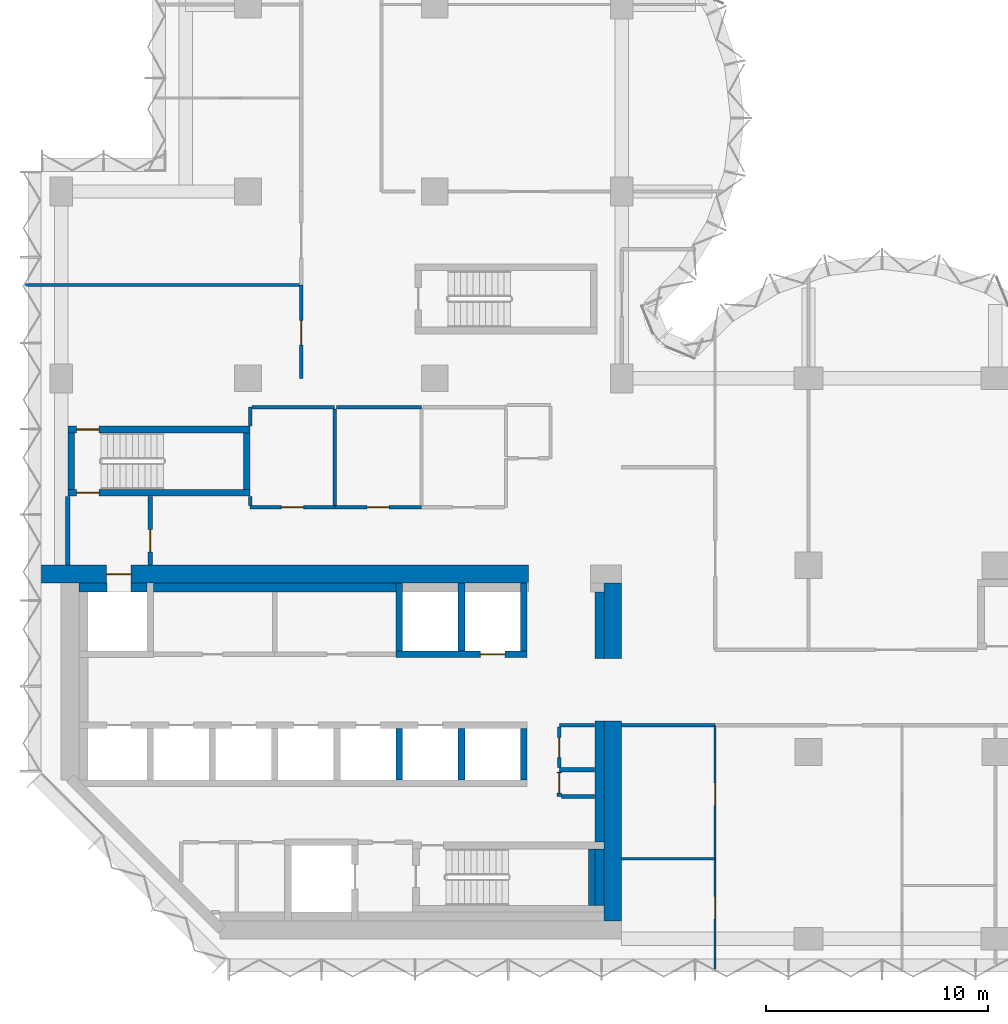
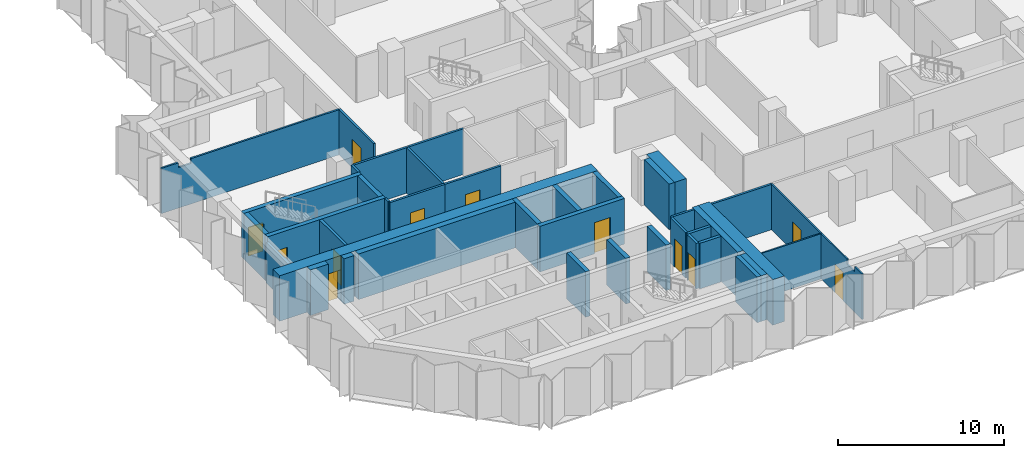
# One storey, part 6 of 11: 41 walls, 12 doors, 12 openings.
"""IFC4 building model written with IfcOpenShell, lengths in metres."""

from ifc_helpers import new_model, si_unit, direction, frame, frame_2d, origin, place, context, subcontext, project, spatial, polyline, rectangle, outline, extrude, material, layer, layer_set, type_object, element, fill, save


model = new_model("IFC4")

# Units and contexts
model_context = context("Model", 3, precision=1e-05, world=origin(), true_north=direction((0.0, 1.0)))
body_context = subcontext(model_context, "Body", "Model", "MODEL_VIEW")
ifc_project = project(units=[si_unit("LENGTHUNIT", "METRE"), si_unit("AREAUNIT", "SQUARE_METRE"), si_unit("VOLUMEUNIT", "CUBIC_METRE"), si_unit("PLANEANGLEUNIT", "RADIAN"), si_unit("MASSUNIT", "GRAM", prefix="KILO")], contexts=[model_context])

# Site, building, storey
site_placement = place(None, origin())
site = spatial("IfcSite", under=ifc_project, at=site_placement, CompositionType="ELEMENT")
building_placement = place(site_placement, origin())
building = spatial("IfcBuilding", under=site, at=building_placement, Name="Brevane Broadcast Tower", CompositionType="ELEMENT")
storey_placement = place(building_placement, frame((0.0, 0.0, 138.5)))
storey = spatial("IfcBuildingStorey", under=building, at=storey_placement, Name="L34", CompositionType="ELEMENT", Elevation=138.5)

# Walls
ifc_material_1 = material(Name="Concrete C32/40", Category="concrete")
ifc_layer_1 = layer(ifc_material_1, 0.39990234375)
ifc_layer_set_1 = layer_set([ifc_layer_1], Name="Core chase wall 400 mm")
wall_type_1 = type_object("IfcWallType", Name="Core chase wall 400 mm", PredefinedType="PARTITIONING", material=ifc_layer_set_1)
wall_1_placement = place(storey_placement, frame((24.199951171875, 12.60009765625, 0.0), z_axis=(0.0, 0.0, 1.0), x_axis=(0.0, 1.0, 0.0)))
element("IfcWall", 1, at=wall_1_placement, inside=storey, type_object=wall_type_1, Name="L34 chase wall LE2", PredefinedType="PARTITIONING", context=body_context, shape_type="SweptSolid", body=[
    extrude(rectangle(XDim=3.0, YDim=0.39990234375, at=frame_2d((1.5, 0.0))), origin(), (0.0, 0.0, 1.0), 3.35009765625),
])
wall_2_placement = place(storey_placement, frame((0.800048828125, 15.800048828125, 0.0), z_axis=(0.0, 0.0, 1.0), x_axis=(1.0, 0.0, 0.0)))
element("IfcWall", 2, at=wall_2_placement, inside=storey, type_object=wall_type_1, Name="L34 chase wall LN0", PredefinedType="PARTITIONING", context=body_context, shape_type="SweptSolid", body=[
    extrude(rectangle(XDim=1.25, YDim=0.39990234375, at=frame_2d((0.625, 0.0))), origin(), (0.0, 0.0, 1.0), 3.35009765625),
])
wall_3_placement = place(storey_placement, frame((3.14990234375, 15.800048828125, 0.0), z_axis=(0.0, 0.0, 1.0), x_axis=(1.0, 0.0, 0.0)))
element("IfcWall", 3, at=wall_3_placement, inside=storey, type_object=wall_type_1, Name="L34 chase wall LN1-1", PredefinedType="PARTITIONING", context=body_context, shape_type="SweptSolid", body=[
    extrude(rectangle(XDim=0.7001953125, YDim=0.39990234375, at=frame_2d((0.35009765625, 0.0))), origin(), (0.0, 0.0, 1.0), 3.35009765625),
])
wall_4_placement = place(storey_placement, frame((4.14990234375, 15.800048828125, 0.0), z_axis=(0.0, 0.0, 1.0), x_axis=(1.0, 0.0, 0.0)))
element("IfcWall", 4, at=wall_4_placement, inside=storey, type_object=wall_type_1, Name="L34 chase wall LN1-2-1", PredefinedType="PARTITIONING", context=body_context, shape_type="SweptSolid", body=[
    extrude(rectangle(XDim=10.900146484375, YDim=0.39990234375, at=frame_2d((5.4501953125, 0.0))), origin(), (0.0, 0.0, 1.0), 3.35009765625),
])
wall_5_placement = place(storey_placement, frame((24.199951171875, 1.5, 0.0), z_axis=(0.0, 0.0, 1.0), x_axis=(0.0, 1.0, 0.0)))
element("IfcWall", 5, at=wall_5_placement, inside=storey, type_object=wall_type_1, Name="L34 chase wall LE1-2-1", PredefinedType="PARTITIONING", context=body_context, shape_type="SweptSolid", body=[
    extrude(rectangle(XDim=2.550048828125, YDim=0.39990234375, at=frame_2d((1.27490234375, 0.0))), origin(), (0.0, 0.0, 1.0), 3.35009765625),
])
wall_6_placement = place(storey_placement, frame((24.199951171875, 4.35009765625, 0.0), z_axis=(0.0, 0.0, 1.0), x_axis=(0.0, 1.0, 0.0)))
element("IfcWall", 6, at=wall_6_placement, inside=storey, type_object=wall_type_1, Name="L34 chase wall LE1-2-2", PredefinedType="PARTITIONING", context=body_context, shape_type="SweptSolid", body=[
    extrude(rectangle(XDim=5.449951171875, YDim=0.39990234375, at=frame_2d((2.72509765625, 0.0))), origin(), (0.0, 0.0, 1.0), 3.35009765625),
])

# Wall, opening, door
ifc_material_2 = material(Name="Gypsum board on steel studs", Category="steel")
ifc_layer_2 = layer(ifc_material_2, 0.14990234375)
ifc_layer_set_2 = layer_set([ifc_layer_2], Name="Core fire partition 150 mm")
wall_type_2 = type_object("IfcWallType", Name="Core fire partition 150 mm", PredefinedType="PARTITIONING", material=ifc_layer_set_2)
wall_7_placement = place(storey_placement, frame((12.300048828125, 19.39990234375, 0.0), z_axis=(0.0, 0.0, 1.0), x_axis=(-1.0, 0.0, 0.0)))
wall_7 = element("IfcWall", 7, at=wall_7_placement, inside=storey, type_object=wall_type_2, Name="L34 partition wall P15", PredefinedType="PARTITIONING", context=body_context, shape_type="SweptSolid", body=[
    extrude(rectangle(XDim=3.800048828125, YDim=0.14990234375, at=frame_2d((1.89990234375, 0.0))), origin(), (0.0, 0.0, 1.0), 3.35009765625),
])
opening_1_placement = place(wall_7_placement, frame((1.39990234375, 0.0, 0.0)))
opening_1 = element("IfcOpeningElement", 8, at=opening_1_placement, cuts=wall_7, Name="Opening L34-K25", PredefinedType="OPENING", context=body_context, shape_type="SweptSolid", body=[
    extrude(rectangle(XDim=1.0, YDim=2.10009765625, at=frame_2d((0.5, 1.050048828125))), frame((0.0, 0.0849609375, 0.0), z_axis=(0.0, -1.0, 0.0), x_axis=(1.0, 0.0, 0.0)), (0.0, 0.0, 1.0), 0.169921875),
])
ifc_material_3 = material(Name="Steel", Category="steel")
door_type_1 = type_object("IfcDoorType", Name="Service room door 1000 x 2100", OperationType="SINGLE_SWING_LEFT", PredefinedType="DOOR", material=ifc_material_3)
door_1_placement = place(opening_1_placement, origin())
door_1 = element("IfcDoor", 9, at=door_1_placement, inside=storey, type_object=door_type_1, Name="Door L34-K25", OperationType="SINGLE_SWING_LEFT", OverallHeight=2.10009765625, OverallWidth=1.0, PredefinedType="DOOR", context=body_context, shape_type="SweptSolid", body=[
    extrude(rectangle(XDim=1.0, YDim=2.10009765625, at=frame_2d((0.5, 1.050048828125))), frame((0.0, 0.02490234375, 0.0), z_axis=(0.0, -1.0, 0.0), x_axis=(1.0, 0.0, 0.0)), (0.0, 0.0, 1.0), 0.050048828125),
])
fill(opening_1, door_1)

# Walls
wall_8_placement = place(storey_placement, frame((8.5, 19.47509765625, 0.0), z_axis=(0.0, 0.0, 1.0), x_axis=(0.0, 1.0, 0.0)))
element("IfcWall", 10, at=wall_8_placement, inside=storey, type_object=wall_type_2, Name="L34 partition wall P16", PredefinedType="PARTITIONING", context=body_context, shape_type="SweptSolid", body=[
    extrude(rectangle(XDim=0.412841796875, YDim=0.14990234375, at=frame_2d((0.20654296875, 0.0))), origin(), (0.0, 0.0, 1.0), 3.35009765625),
])
wall_9_placement = place(storey_placement, frame((8.5, 23.06201171875, 0.0), z_axis=(0.0, 0.0, 1.0), x_axis=(0.0, 1.0, 0.0)))
element("IfcWall", 11, at=wall_9_placement, inside=storey, type_object=wall_type_2, Name="L34 partition wall P17", PredefinedType="PARTITIONING", context=body_context, shape_type="SweptSolid", body=[
    extrude(rectangle(XDim=0.837890625, YDim=0.14990234375, at=frame_2d((0.4189453125, 0.0))), origin(), (0.0, 0.0, 1.0), 3.35009765625),
])
wall_10_placement = place(storey_placement, frame((8.574951171875, 23.89990234375, 0.0), z_axis=(0.0, 0.0, 1.0), x_axis=(1.0, 0.0, 0.0)))
element("IfcWall", 12, at=wall_10_placement, inside=storey, type_object=wall_type_2, Name="L34 partition wall P18", PredefinedType="PARTITIONING", context=body_context, shape_type="SweptSolid", body=[
    extrude(rectangle(XDim=3.72509765625, YDim=0.14990234375, at=frame_2d((1.862548828125, 0.0))), origin(), (0.0, 0.0, 1.0), 3.35009765625),
])

# Wall, opening, door
wall_11_placement = place(storey_placement, frame((16.199951171875, 19.39990234375, 0.0), z_axis=(0.0, 0.0, 1.0), x_axis=(-1.0, 0.0, 0.0)))
wall_11 = element("IfcWall", 13, at=wall_11_placement, inside=storey, type_object=wall_type_2, Name="L34 partition wall P19", PredefinedType="PARTITIONING", context=body_context, shape_type="SweptSolid", body=[
    extrude(rectangle(XDim=3.89990234375, YDim=0.14990234375, at=frame_2d((1.949951171875, 0.0))), origin(), (0.0, 0.0, 1.0), 3.35009765625),
])
opening_2_placement = place(wall_11_placement, frame((1.449951171875, 0.0, 0.0)))
opening_2 = element("IfcOpeningElement", 14, at=opening_2_placement, cuts=wall_11, Name="Opening L34-K26", PredefinedType="OPENING", context=body_context, shape_type="SweptSolid", body=[
    extrude(rectangle(XDim=1.0, YDim=2.10009765625, at=frame_2d((0.5, 1.050048828125))), frame((0.0, 0.0849609375, 0.0), z_axis=(0.0, -1.0, 0.0), x_axis=(1.0, 0.0, 0.0)), (0.0, 0.0, 1.0), 0.169921875),
])
door_2_placement = place(opening_2_placement, origin())
door_2 = element("IfcDoor", 15, at=door_2_placement, inside=storey, type_object=door_type_1, Name="Door L34-K26", OperationType="SINGLE_SWING_RIGHT", OverallHeight=2.10009765625, OverallWidth=1.0, PredefinedType="DOOR", context=body_context, shape_type="SweptSolid", body=[
    extrude(rectangle(XDim=1.0, YDim=2.10009765625, at=frame_2d((0.5, 1.050048828125))), frame((0.0, 0.02490234375, 0.0), z_axis=(0.0, -1.0, 0.0), x_axis=(1.0, 0.0, 0.0)), (0.0, 0.0, 1.0), 0.050048828125),
])
fill(opening_2, door_2)

# Walls
wall_12_placement = place(storey_placement, frame((12.300048828125, 23.824951171875, 0.0), z_axis=(0.0, 0.0, 1.0), x_axis=(0.0, -1.0, 0.0)))
element("IfcWall", 16, at=wall_12_placement, inside=storey, type_object=wall_type_2, Name="L34 partition wall P20", PredefinedType="PARTITIONING", context=body_context, shape_type="SweptSolid", body=[
    extrude(rectangle(XDim=4.349853515625, YDim=0.14990234375, at=frame_2d((2.1748046875, 0.0))), origin(), (0.0, 0.0, 1.0), 3.35009765625),
])
wall_13_placement = place(storey_placement, frame((12.375, 23.89990234375, 0.0), z_axis=(0.0, 0.0, 1.0), x_axis=(1.0, 0.0, 0.0)))
element("IfcWall", 17, at=wall_13_placement, inside=storey, type_object=wall_type_2, Name="L34 partition wall P21", PredefinedType="PARTITIONING", context=body_context, shape_type="SweptSolid", body=[
    extrude(rectangle(XDim=3.824951171875, YDim=0.14990234375, at=frame_2d((1.91259765625, 0.0))), origin(), (0.0, 0.0, 1.0), 3.35009765625),
])
wall_14_placement = place(storey_placement, frame((23.988037109375, 9.60009765625, 0.0), z_axis=(0.0, 0.0, 1.0), x_axis=(-1.0, 0.0, 0.0)))
element("IfcWall", 18, at=wall_14_placement, inside=storey, type_object=wall_type_2, Name="L34 partition wall P31", PredefinedType="PARTITIONING", context=body_context, shape_type="SweptSolid", body=[
    extrude(rectangle(XDim=1.588134765625, YDim=0.14990234375, at=frame_2d((0.7939453125, 0.0))), origin(), (0.0, 0.0, 1.0), 3.35009765625),
])

# Wall, opening, door
wall_15_placement = place(storey_placement, frame((22.39990234375, 9.52490234375, 0.0), z_axis=(0.0, 0.0, 1.0), x_axis=(0.0, -1.0, 0.0)))
wall_15 = element("IfcWall", 19, at=wall_15_placement, inside=storey, type_object=wall_type_2, Name="L34 partition wall P32", PredefinedType="PARTITIONING", context=body_context, shape_type="SweptSolid", body=[
    extrude(rectangle(XDim=1.824951171875, YDim=0.14990234375, at=frame_2d((0.91259765625, 0.0))), origin(), (0.0, 0.0, 1.0), 3.35009765625),
])
opening_3_placement = place(wall_15_placement, frame((0.47509765625, 0.0, 0.0)))
opening_3 = element("IfcOpeningElement", 20, at=opening_3_placement, cuts=wall_15, Name="Opening L34-K20", PredefinedType="OPENING", context=body_context, shape_type="SweptSolid", body=[
    extrude(rectangle(XDim=0.89990234375, YDim=2.10009765625, at=frame_2d((0.449951171875, 1.050048828125))), frame((0.0, 0.0849609375, 0.0), z_axis=(0.0, -1.0, 0.0), x_axis=(1.0, 0.0, 0.0)), (0.0, 0.0, 1.0), 0.169921875),
])
door_type_2 = type_object("IfcDoorType", Name="Service room door 900 x 2100", OperationType="SINGLE_SWING_LEFT", PredefinedType="DOOR", material=ifc_material_3)
door_3_placement = place(opening_3_placement, origin())
door_3 = element("IfcDoor", 21, at=door_3_placement, inside=storey, type_object=door_type_2, Name="Door L34-K20", OperationType="SINGLE_SWING_RIGHT", OverallHeight=2.10009765625, OverallWidth=0.89990234375, PredefinedType="DOOR", context=body_context, shape_type="SweptSolid", body=[
    extrude(rectangle(XDim=0.89990234375, YDim=2.10009765625, at=frame_2d((0.449951171875, 1.050048828125))), frame((0.0, 0.02490234375, 0.0), z_axis=(0.0, -1.0, 0.0), x_axis=(1.0, 0.0, 0.0)), (0.0, 0.0, 1.0), 0.050048828125),
])
fill(opening_3, door_3)

# Wall
ifc_layer_3 = layer(ifc_material_2, 0.199951171875)
ifc_layer_set_3 = layer_set([ifc_layer_3], Name="Core fire partition 200 mm")
wall_type_3 = type_object("IfcWallType", Name="Core fire partition 200 mm", PredefinedType="PARTITIONING", material=ifc_layer_set_3)
wall_16_placement = place(storey_placement, frame((0.300048828125, 16.81201171875, 0.0), z_axis=(0.0, 0.0, 1.0), x_axis=(0.0, 1.0, 0.0)))
element("IfcWall", 22, at=wall_16_placement, inside=storey, type_object=wall_type_3, Name="L34 partition wall P01", PredefinedType="PARTITIONING", context=body_context, shape_type="SweptSolid", body=[
    extrude(rectangle(XDim=3.075927734375, YDim=0.199951171875, at=frame_2d((1.5380859375, 0.0))), origin(), (0.0, 0.0, 1.0), 2.97998046875),
])

# Wall, opening, door
wall_17_placement = place(storey_placement, frame((4.0, 19.887939453125, 0.0), z_axis=(0.0, 0.0, 1.0), x_axis=(0.0, -1.0, 0.0)))
wall_17 = element("IfcWall", 23, at=wall_17_placement, inside=storey, type_object=wall_type_3, Name="L34 partition wall P02", PredefinedType="PARTITIONING", context=body_context, shape_type="SweptSolid", body=[
    extrude(rectangle(XDim=3.075927734375, YDim=0.199951171875, at=frame_2d((1.5380859375, 0.0))), origin(), (0.0, 0.0, 1.0), 3.35009765625),
])
opening_4_placement = place(wall_17_placement, frame((1.488037109375, 0.0, 0.0)))
opening_4 = element("IfcOpeningElement", 24, at=opening_4_placement, cuts=wall_17, Name="Opening L34-K23", PredefinedType="OPENING", context=body_context, shape_type="SweptSolid", body=[
    extrude(rectangle(XDim=1.0, YDim=2.10009765625, at=frame_2d((0.5, 1.050048828125))), frame((0.0, 0.10986328125, 0.0), z_axis=(0.0, -1.0, 0.0), x_axis=(1.0, 0.0, 0.0)), (0.0, 0.0, 1.0), 0.219970703125),
])
door_type_3 = type_object("IfcDoorType", Name="Stair door 1000 x 2100", OperationType="SINGLE_SWING_LEFT", PredefinedType="DOOR", material=ifc_material_3)
door_4_placement = place(opening_4_placement, origin())
door_4 = element("IfcDoor", 25, at=door_4_placement, inside=storey, type_object=door_type_3, Name="Door L34-K23", OperationType="SINGLE_SWING_LEFT", OverallHeight=2.10009765625, OverallWidth=1.0, PredefinedType="DOOR", context=body_context, shape_type="SweptSolid", body=[
    extrude(rectangle(XDim=1.0, YDim=2.10009765625, at=frame_2d((0.5, 1.050048828125))), frame((0.0, 0.02490234375, 0.0), z_axis=(0.0, -1.0, 0.0), x_axis=(1.0, 0.0, 0.0)), (0.0, 0.0, 1.0), 0.050048828125),
])
fill(opening_4, door_4)

# Wall
wall_18_placement = place(storey_placement, frame((23.988037109375, 7.60009765625, 0.0), z_axis=(0.0, 0.0, 1.0), x_axis=(-1.0, 0.0, 0.0)))
element("IfcWall", 26, at=wall_18_placement, inside=storey, type_object=wall_type_3, Name="L34 partition wall P07", PredefinedType="PARTITIONING", context=body_context, shape_type="SweptSolid", body=[
    extrude(rectangle(XDim=1.588134765625, YDim=0.199951171875, at=frame_2d((0.7939453125, 0.0))), origin(), (0.0, 0.0, 1.0), 3.35009765625),
])

# Wall, opening, door
wall_19_placement = place(storey_placement, frame((22.39990234375, 7.5, 0.0), z_axis=(0.0, 0.0, 1.0), x_axis=(0.0, -1.0, 0.0)))
wall_19 = element("IfcWall", 27, at=wall_19_placement, inside=storey, type_object=wall_type_3, Name="L34 partition wall P08", PredefinedType="PARTITIONING", context=body_context, shape_type="SweptSolid", body=[
    extrude(rectangle(XDim=1.10009765625, YDim=0.199951171875, at=frame_2d((0.550048828125, 0.0))), origin(), (0.0, 0.0, 1.0), 3.35009765625),
])
opening_5_placement = place(wall_19_placement, frame((0.050048828125, 0.0, 0.0)))
opening_5 = element("IfcOpeningElement", 28, at=opening_5_placement, cuts=wall_19, Name="Opening L34-K19", PredefinedType="OPENING", context=body_context, shape_type="SweptSolid", body=[
    extrude(rectangle(XDim=0.89990234375, YDim=2.10009765625, at=frame_2d((0.449951171875, 1.050048828125))), frame((0.0, 0.10986328125, 0.0), z_axis=(0.0, -1.0, 0.0), x_axis=(1.0, 0.0, 0.0)), (0.0, 0.0, 1.0), 0.219970703125),
])
door_5_placement = place(opening_5_placement, origin())
door_5 = element("IfcDoor", 29, at=door_5_placement, inside=storey, type_object=door_type_2, Name="Door L34-K19", OperationType="SINGLE_SWING_LEFT", OverallHeight=2.10009765625, OverallWidth=0.89990234375, PredefinedType="DOOR", context=body_context, shape_type="SweptSolid", body=[
    extrude(rectangle(XDim=0.89990234375, YDim=2.10009765625, at=frame_2d((0.449951171875, 1.050048828125))), frame((0.0, 0.02490234375, 0.0), z_axis=(0.0, -1.0, 0.0), x_axis=(1.0, 0.0, 0.0)), (0.0, 0.0, 1.0), 0.050048828125),
])
fill(opening_5, door_5)

# Walls
wall_20_placement = place(storey_placement, frame((22.5, 6.39990234375, 0.0), z_axis=(0.0, 0.0, 1.0), x_axis=(1.0, 0.0, 0.0)))
element("IfcWall", 30, at=wall_20_placement, inside=storey, type_object=wall_type_3, Name="L34 partition wall P09", PredefinedType="PARTITIONING", context=body_context, shape_type="SweptSolid", body=[
    extrude(rectangle(XDim=1.488037109375, YDim=0.199951171875, at=frame_2d((0.744140625, 0.0))), origin(), (0.0, 0.0, 1.0), 3.35009765625),
])
ifc_material_4 = material(Name="Concrete C60/75", Category="concrete")
ifc_layer_4 = layer(ifc_material_4, 0.300048828125)
ifc_layer_set_4 = layer_set([ifc_layer_4], Name="Core wall 300 mm C60/75")
wall_type_4 = type_object("IfcWallType", Name="Core wall 300 mm C60/75", PredefinedType="SHEAR", material=ifc_layer_set_4)
for number, where, z_axis, x_axis, name in (
    (31, (15.199951171875, 7.14990234375, 0.0), (0.0, 0.0, 1.0), (0.0, 1.0, 0.0), "L34 shaft wall SH-S-P152"),
    (32, (18.0, 7.14990234375, 0.0), (0.0, 0.0, 1.0), (0.0, 1.0, 0.0), "L34 shaft wall SH-S-P180"),
    (33, (20.800048828125, 7.14990234375, 0.0), (0.0, 0.0, 1.0), (0.0, 1.0, 0.0), "L34 shaft wall SH-S-P208"),
):
    element("IfcWall", number, at=place(storey_placement, frame(where, z_axis=z_axis, x_axis=x_axis)), inside=storey, type_object=wall_type_4, Name=name, PredefinedType="SHEAR", context=body_context, shape_type="SweptSolid", body=[
        extrude(rectangle(XDim=2.300048828125, YDim=0.300048828125, at=frame_2d((1.14990234375, 0.0))), origin(), (0.0, 0.0, 1.0), 3.35009765625),
    ])

# Wall, opening, door
wall_21_placement = place(storey_placement, frame((15.050048828125, 12.800048828125, 0.0), z_axis=(0.0, 0.0, 1.0), x_axis=(1.0, 0.0, 0.0)))
wall_21 = element("IfcWall", 34, at=wall_21_placement, inside=storey, type_object=wall_type_4, Name="L34 shaft wall SH-N152-front", PredefinedType="SHEAR", context=body_context, shape_type="SweptSolid", body=[
    extrude(rectangle(XDim=5.89990234375, YDim=0.300048828125, at=frame_2d((2.949951171875, 0.0))), origin(), (0.0, 0.0, 1.0), 3.35009765625),
])
opening_6_placement = place(wall_21_placement, frame((3.800048828125, 0.0, 0.0)))
opening_6 = element("IfcOpeningElement", 35, at=opening_6_placement, cuts=wall_21, Name="Opening LD", PredefinedType="OPENING", context=body_context, shape_type="SweptSolid", body=[
    extrude(rectangle(XDim=1.10009765625, YDim=2.300048828125, at=frame_2d((0.550048828125, 1.14990234375))), frame((0.0, 0.159912109375, 0.0), z_axis=(0.0, -1.0, 0.0), x_axis=(1.0, 0.0, 0.0)), (0.0, 0.0, 1.0), 0.320068359375),
])
ifc_material_5 = material(Name="Stainless steel", Category="steel")
door_type_4 = type_object("IfcDoorType", Name="Lift landing door", OperationType="SLIDING_TO_LEFT", PredefinedType="DOOR", material=ifc_material_5)
door_6_placement = place(opening_6_placement, origin())
door_6 = element("IfcDoor", 36, at=door_6_placement, inside=storey, type_object=door_type_4, Name="Landing door SL1 L34", OperationType="SLIDING_TO_LEFT", OverallHeight=2.300048828125, OverallWidth=1.10009765625, PredefinedType="DOOR", context=body_context, shape_type="SweptSolid", body=[
    extrude(rectangle(XDim=1.10009765625, YDim=2.300048828125, at=frame_2d((0.550048828125, 1.14990234375))), frame((0.0, 0.02490234375, 0.0), z_axis=(0.0, -1.0, 0.0), x_axis=(1.0, 0.0, 0.0)), (0.0, 0.0, 1.0), 0.050048828125),
])
fill(opening_6, door_6)

# Walls
for number, where, z_axis, x_axis, name in (
    (37, (15.199951171875, 12.949951171875, 0.0), (0.0, 0.0, 1.0), (0.0, 1.0, 0.0), "L34 shaft wall SH-N-P152"),
    (38, (18.0, 12.949951171875, 0.0), (0.0, 0.0, 1.0), (0.0, 1.0, 0.0), "L34 shaft wall SH-N-P180"),
    (39, (20.800048828125, 12.949951171875, 0.0), (0.0, 0.0, 1.0), (0.0, 1.0, 0.0), "L34 shaft wall SH-N-P208"),
):
    element("IfcWall", number, at=place(storey_placement, frame(where, z_axis=z_axis, x_axis=x_axis)), inside=storey, type_object=wall_type_4, Name=name, PredefinedType="SHEAR", context=body_context, shape_type="SweptSolid", body=[
        extrude(rectangle(XDim=3.050048828125, YDim=0.300048828125, at=frame_2d((1.52490234375, 0.0))), origin(), (0.0, 0.0, 1.0), 3.35009765625),
    ])

# Wall, opening, door
wall_22_placement = place(storey_placement, frame((8.5, 20.050048828125, 0.0), z_axis=(0.0, 0.0, 1.0), x_axis=(-1.0, 0.0, 0.0)))
wall_22 = element("IfcWall", 40, at=wall_22_placement, inside=storey, type_object=wall_type_4, Name="L34 stair wall ST-1-S", PredefinedType="SHEAR", context=body_context, shape_type="SweptSolid", body=[
    extrude(rectangle(XDim=8.199951171875, YDim=0.300048828125, at=frame_2d((4.10009765625, 0.0))), origin(), (0.0, 0.0, 1.0), 3.35009765625),
])
opening_7_placement = place(wall_22_placement, frame((6.800048828125, 0.0, 0.0)))
opening_7 = element("IfcOpeningElement", 41, at=opening_7_placement, cuts=wall_22, Name="Opening L34-K10", PredefinedType="OPENING", context=body_context, shape_type="SweptSolid", body=[
    extrude(rectangle(XDim=1.0, YDim=2.10009765625, at=frame_2d((0.5, 1.050048828125))), frame((0.0, 0.159912109375, 0.0), z_axis=(0.0, -1.0, 0.0), x_axis=(1.0, 0.0, 0.0)), (0.0, 0.0, 1.0), 0.320068359375),
])
door_7_placement = place(opening_7_placement, origin())
door_7 = element("IfcDoor", 42, at=door_7_placement, inside=storey, type_object=door_type_3, Name="Door L34-K10", OperationType="SINGLE_SWING_RIGHT", OverallHeight=2.10009765625, OverallWidth=1.0, PredefinedType="DOOR", context=body_context, shape_type="SweptSolid", body=[
    extrude(rectangle(XDim=1.0, YDim=2.10009765625, at=frame_2d((0.5, 1.050048828125))), frame((0.0, 0.02490234375, 0.0), z_axis=(0.0, -1.0, 0.0), x_axis=(1.0, 0.0, 0.0)), (0.0, 0.0, 1.0), 0.050048828125),
])
fill(opening_7, door_7)

wall_23_placement = place(storey_placement, frame((0.300048828125, 22.89990234375, 0.0), z_axis=(0.0, 0.0, 1.0), x_axis=(1.0, 0.0, 0.0)))
wall_23 = element("IfcWall", 43, at=wall_23_placement, inside=storey, type_object=wall_type_4, Name="L34 stair wall ST-1-N", PredefinedType="SHEAR", context=body_context, shape_type="SweptSolid", body=[
    extrude(rectangle(XDim=8.199951171875, YDim=0.300048828125, at=frame_2d((4.10009765625, 0.0))), origin(), (0.0, 0.0, 1.0), 3.35009765625),
])
opening_8_placement = place(wall_23_placement, frame((0.39990234375, 0.0, 0.0)))
opening_8 = element("IfcOpeningElement", 44, at=opening_8_placement, cuts=wall_23, Name="Opening L34-K11", PredefinedType="OPENING", context=body_context, shape_type="SweptSolid", body=[
    extrude(rectangle(XDim=1.0, YDim=2.10009765625, at=frame_2d((0.5, 1.050048828125))), frame((0.0, 0.159912109375, 0.0), z_axis=(0.0, -1.0, 0.0), x_axis=(1.0, 0.0, 0.0)), (0.0, 0.0, 1.0), 0.320068359375),
])
door_8_placement = place(opening_8_placement, origin())
door_8 = element("IfcDoor", 45, at=door_8_placement, inside=storey, type_object=door_type_3, Name="Door L34-K11", OperationType="SINGLE_SWING_LEFT", OverallHeight=2.10009765625, OverallWidth=1.0, PredefinedType="DOOR", context=body_context, shape_type="SweptSolid", body=[
    extrude(rectangle(XDim=1.0, YDim=2.10009765625, at=frame_2d((0.5, 1.050048828125))), frame((0.0, 0.02490234375, 0.0), z_axis=(0.0, -1.0, 0.0), x_axis=(1.0, 0.0, 0.0)), (0.0, 0.0, 1.0), 0.050048828125),
])
fill(opening_8, door_8)

# Walls
for number, where, z_axis, x_axis, name in (
    (46, (0.449951171875, 20.199951171875, 0.0), (0.0, 0.0, 1.0), (0.0, 1.0, 0.0), "L34 stair wall ST-1-W"),
    (47, (8.35009765625, 20.199951171875, 0.0), (0.0, 0.0, 1.0), (0.0, 1.0, 0.0), "L34 stair wall ST-1-E"),
    (48, (23.85009765625, 1.5, 0.0), (0.0, 0.0, 1.0), (0.0, 1.0, 0.0), "L34 stair wall ST-2-E"),
):
    element("IfcWall", number, at=place(storey_placement, frame(where, z_axis=z_axis, x_axis=x_axis)), inside=storey, type_object=wall_type_4, Name=name, PredefinedType="SHEAR", context=body_context, shape_type="SweptSolid", body=[
        extrude(rectangle(XDim=2.550048828125, YDim=0.300048828125, at=frame_2d((1.27490234375, 0.0))), origin(), (0.0, 0.0, 1.0), 3.35009765625),
    ])

# Wall, opening, door
ifc_layer_5 = layer(ifc_material_4, 0.800048828125)
ifc_layer_set_5 = layer_set([ifc_layer_5], Name="Core wall 800 mm C60/75")
wall_type_5 = type_object("IfcWallType", Name="Core wall 800 mm C60/75", PredefinedType="SHEAR", material=ifc_layer_set_5)
wall_24_placement = place(storey_placement, frame((-1.10009765625, 16.39990234375, 0.0), z_axis=(0.0, 0.0, 1.0), x_axis=(1.0, 0.0, 0.0)))
wall_24 = element("IfcWall", 49, at=wall_24_placement, inside=storey, type_object=wall_type_5, Name="L34 outer wall WN1", PredefinedType="SHEAR", context=body_context, shape_type="SweptSolid", body=[
    extrude(rectangle(XDim=22.10009765625, YDim=0.800048828125, at=frame_2d((11.050048828125, 0.0))), origin(), (0.0, 0.0, 1.0), 3.35009765625),
])
opening_9_placement = place(wall_24_placement, frame((3.14990234375, 0.0, 0.0)))
opening_9 = element("IfcOpeningElement", 50, at=opening_9_placement, cuts=wall_24, Name="Opening LD", PredefinedType="OPENING", context=body_context, shape_type="SweptSolid", body=[
    extrude(rectangle(XDim=1.10009765625, YDim=2.300048828125, at=frame_2d((0.550048828125, 1.14990234375))), frame((0.0, 0.409912109375, 0.0), z_axis=(0.0, -1.0, 0.0), x_axis=(1.0, 0.0, 0.0)), (0.0, 0.0, 1.0), 0.820068359375),
])
door_9_placement = place(opening_9_placement, origin())
door_9 = element("IfcDoor", 51, at=door_9_placement, inside=storey, type_object=door_type_4, Name="Landing door FF1 L34", OperationType="SLIDING_TO_LEFT", OverallHeight=2.300048828125, OverallWidth=1.10009765625, PredefinedType="DOOR", context=body_context, shape_type="SweptSolid", body=[
    extrude(rectangle(XDim=1.10009765625, YDim=2.300048828125, at=frame_2d((0.550048828125, 1.14990234375))), frame((0.0, 0.02490234375, 0.0), z_axis=(0.0, -1.0, 0.0), x_axis=(1.0, 0.0, 0.0)), (0.0, 0.0, 1.0), 0.050048828125),
])
fill(opening_9, door_9)

# Walls
wall_25_placement = place(storey_placement, frame((24.800048828125, 0.800048828125, 0.0), z_axis=(0.0, 0.0, 1.0), x_axis=(0.0, 1.0, 0.0)))
element("IfcWall", 52, at=wall_25_placement, inside=storey, type_object=wall_type_5, Name="L34 outer wall WE1", PredefinedType="SHEAR", context=body_context, shape_type="SweptSolid", body=[
    extrude(rectangle(XDim=9.0, YDim=0.800048828125, at=frame_2d((4.5, 0.0))), origin(), (0.0, 0.0, 1.0), 3.35009765625),
])
wall_26_placement = place(storey_placement, frame((24.800048828125, 12.60009765625, 0.0), z_axis=(0.0, 0.0, 1.0), x_axis=(0.0, 1.0, 0.0)))
element("IfcWall", 53, at=wall_26_placement, inside=storey, type_object=wall_type_5, Name="L34 outer wall WE2", PredefinedType="SHEAR", context=body_context, shape_type="SweptSolid", body=[
    extrude(rectangle(XDim=3.39990234375, YDim=0.800048828125, at=frame_2d((1.699951171875, 0.0))), origin(), (0.0, 0.0, 1.0), 3.35009765625),
])

# Wall, opening, door
ifc_material_6 = material(Name="Gypsum board partition")
ifc_layer_6 = layer(ifc_material_6, 0.10009765625)
ifc_layer_set_6 = layer_set([ifc_layer_6], Name="PARTITION 100 STUD")
wall_type_6 = type_object("IfcWallType", Name="PARTITION 100 STUD", PredefinedType="PARTITIONING", material=ifc_layer_set_6)
wall_27_placement = place(storey_placement, frame((29.39990234375, -1.364990234375, 0.0), z_axis=(0.0, 0.0, 1.0), x_axis=(0.0, 1.0, 0.0)))
wall_27 = element("IfcWall", 54, at=wall_27_placement, inside=storey, type_object=wall_type_6, Name="Partition G10-023", PredefinedType="PARTITIONING", context=body_context, shape_type="SweptSolid", body=[
    extrude(outline(polyline([(0.0, 0.0), (4.965087890625, 0.0), (4.965087890625, 3.330078125), (1.81494140625, 3.330078125), (1.81298828125, 2.97998046875), (0.9169921875, 2.97998046875), (0.9150390625, 3.330078125), (0.264892578125, 3.330078125), (0.0, 3.330078125), (0.0, 0.0)])), frame((0.0, 0.050048828125, 0.0), z_axis=(0.0, -1.0, 0.0), x_axis=(1.0, 0.0, 0.0)), (0.0, 0.0, 1.0), 0.10009765625),
])
opening_10_placement = place(wall_27_placement, frame((2.264892578125, 0.0, 0.0)))
opening_10 = element("IfcOpeningElement", 55, at=opening_10_placement, cuts=wall_27, Name="Opening D17-006", PredefinedType="OPENING", context=body_context, shape_type="SweptSolid", body=[
    extrude(rectangle(XDim=1.0, YDim=2.10009765625, at=frame_2d((0.5, 1.050048828125))), frame((0.0, 0.06005859375, 0.0), z_axis=(0.0, -1.0, 0.0), x_axis=(1.0, 0.0, 0.0)), (0.0, 0.0, 1.0), 0.1201171875),
])
ifc_material_7 = material(Name="Timber door leaf", Category="wood")
door_type_5 = type_object("IfcDoorType", Name="DOOR SINGLE 1000 INTERNAL", OperationType="SINGLE_SWING_LEFT", PredefinedType="DOOR", material=ifc_material_7)
door_10_placement = place(opening_10_placement, origin())
door_10 = element("IfcDoor", 56, at=door_10_placement, inside=storey, type_object=door_type_5, Name="Door D17-006", OperationType="SINGLE_SWING_LEFT", OverallHeight=2.10009765625, OverallWidth=1.0, PredefinedType="DOOR", context=body_context, shape_type="SweptSolid", body=[
    extrude(rectangle(XDim=1.0, YDim=2.10009765625, at=frame_2d((0.5, 1.050048828125))), frame((0.0, 0.02490234375, 0.0), z_axis=(0.0, -1.0, 0.0), x_axis=(1.0, 0.0, 0.0)), (0.0, 0.0, 1.0), 0.050048828125),
])
fill(opening_10, door_10)

wall_28_placement = place(storey_placement, frame((29.39990234375, 3.60009765625, 0.0), z_axis=(0.0, 0.0, 1.0), x_axis=(0.0, 1.0, 0.0)))
wall_28 = element("IfcWall", 57, at=wall_28_placement, inside=storey, type_object=wall_type_6, Name="Partition G10-024", PredefinedType="PARTITIONING", context=body_context, shape_type="SweptSolid", body=[
    extrude(rectangle(XDim=6.0, YDim=0.10009765625, at=frame_2d((3.0, 0.0))), origin(), (0.0, 0.0, 1.0), 3.330078125),
])
opening_11_placement = place(wall_28_placement, frame((2.39990234375, 0.0, 0.0)))
opening_11 = element("IfcOpeningElement", 58, at=opening_11_placement, cuts=wall_28, Name="Opening D17-007", PredefinedType="OPENING", context=body_context, shape_type="SweptSolid", body=[
    extrude(rectangle(XDim=1.0, YDim=2.10009765625, at=frame_2d((0.5, 1.050048828125))), frame((0.0, 0.06005859375, 0.0), z_axis=(0.0, -1.0, 0.0), x_axis=(1.0, 0.0, 0.0)), (0.0, 0.0, 1.0), 0.1201171875),
])
door_11_placement = place(opening_11_placement, origin())
door_11 = element("IfcDoor", 59, at=door_11_placement, inside=storey, type_object=door_type_5, Name="Door D17-007", OperationType="SINGLE_SWING_LEFT", OverallHeight=2.10009765625, OverallWidth=1.0, PredefinedType="DOOR", context=body_context, shape_type="SweptSolid", body=[
    extrude(rectangle(XDim=1.0, YDim=2.10009765625, at=frame_2d((0.5, 1.050048828125))), frame((0.0, 0.02490234375, 0.0), z_axis=(0.0, -1.0, 0.0), x_axis=(1.0, 0.0, 0.0)), (0.0, 0.0, 1.0), 0.050048828125),
])
fill(opening_11, door_11)

# Walls
wall_29_placement = place(storey_placement, frame((25.199951171875, 3.60009765625, 0.0), z_axis=(0.0, 0.0, 1.0), x_axis=(1.0, 0.0, 0.0)))
element("IfcWall", 60, at=wall_29_placement, inside=storey, type_object=wall_type_6, Name="Partition G10-030", PredefinedType="PARTITIONING", context=body_context, shape_type="SweptSolid", body=[
    extrude(rectangle(XDim=4.199951171875, YDim=0.10009765625, at=frame_2d((2.10009765625, 0.0))), origin(), (0.0, 0.0, 1.0), 3.330078125),
])
ifc_layer_7 = layer(ifc_material_6, 0.125)
ifc_layer_set_7 = layer_set([ifc_layer_7], Name="PARTITION 125 ACOUSTIC")
wall_type_7 = type_object("IfcWallType", Name="PARTITION 125 ACOUSTIC", PredefinedType="PARTITIONING", material=ifc_layer_set_7)
wall_30_placement = place(storey_placement, frame((-1.609130859375, 29.39990234375, 0.0), z_axis=(0.0, 0.0, 1.0), x_axis=(1.0, 0.0, 0.0)))
element("IfcWall", 61, at=wall_30_placement, inside=storey, type_object=wall_type_7, Name="Partition G10-055", PredefinedType="PARTITIONING", context=body_context, shape_type="SweptSolid", body=[
    extrude(outline(polyline([(0.0, 0.0), (12.4091796875, 0.0), (12.4091796875, 3.330078125), (2.05908203125, 3.330078125), (2.05712890625, 2.97998046875), (1.1611328125, 2.97998046875), (1.1591796875, 3.330078125), (0.509033203125, 3.330078125), (0.0, 3.330078125), (0.0, 0.0)])), frame((0.0, 0.0625, 0.0), z_axis=(0.0, -1.0, 0.0), x_axis=(1.0, 0.0, 0.0)), (0.0, 0.0, 1.0), 0.125),
])
ifc_layer_8 = layer(ifc_material_6, 0.14990234375)
ifc_layer_set_8 = layer_set([ifc_layer_8], Name="PARTITION 150 EI 60")
wall_type_8 = type_object("IfcWallType", Name="PARTITION 150 EI 60", PredefinedType="PARTITIONING", material=ifc_layer_set_8)
wall_31_placement = place(storey_placement, frame((29.39990234375, 9.60009765625, 0.0), z_axis=(0.0, 0.0, 1.0), x_axis=(-1.0, 0.0, 0.0)))
element("IfcWall", 62, at=wall_31_placement, inside=storey, type_object=wall_type_8, Name="Partition G10-002", PredefinedType="PARTITIONING", context=body_context, shape_type="SweptSolid", body=[
    extrude(rectangle(XDim=4.199951171875, YDim=0.14990234375, at=frame_2d((2.10009765625, 0.0))), origin(), (0.0, 0.0, 1.0), 3.330078125),
])

# Wall, opening, door
wall_32_placement = place(storey_placement, frame((10.800048828125, 25.199951171875, 0.0), z_axis=(0.0, 0.0, 1.0), x_axis=(0.0, 1.0, 0.0)))
wall_32 = element("IfcWall", 63, at=wall_32_placement, inside=storey, type_object=wall_type_8, Name="Partition G10-037", PredefinedType="PARTITIONING", context=body_context, shape_type="SweptSolid", body=[
    extrude(rectangle(XDim=4.199951171875, YDim=0.14990234375, at=frame_2d((2.10009765625, 0.0))), origin(), (0.0, 0.0, 1.0), 3.330078125),
])
opening_12_placement = place(wall_32_placement, frame((1.5, 0.0, 0.0)))
opening_12 = element("IfcOpeningElement", 64, at=opening_12_placement, cuts=wall_32, Name="Opening D17-013", PredefinedType="OPENING", context=body_context, shape_type="SweptSolid", body=[
    extrude(rectangle(XDim=1.10009765625, YDim=2.10009765625, at=frame_2d((0.550048828125, 1.050048828125))), frame((0.0, 0.0849609375, 0.0), z_axis=(0.0, -1.0, 0.0), x_axis=(1.0, 0.0, 0.0)), (0.0, 0.0, 1.0), 0.169921875),
])
ifc_material_8 = material(Name="Fire-rated timber door leaf", Category="wood")
door_type_6 = type_object("IfcDoorType", Name="DOOR SINGLE 1100 FD30S", OperationType="SINGLE_SWING_LEFT", PredefinedType="DOOR", material=ifc_material_8)
door_12_placement = place(opening_12_placement, origin())
door_12 = element("IfcDoor", 65, at=door_12_placement, inside=storey, type_object=door_type_6, Name="Door D17-013", OperationType="SINGLE_SWING_LEFT", OverallHeight=2.10009765625, OverallWidth=1.10009765625, PredefinedType="DOOR", context=body_context, shape_type="SweptSolid", body=[
    extrude(rectangle(XDim=1.10009765625, YDim=2.10009765625, at=frame_2d((0.550048828125, 1.050048828125))), frame((0.0, 0.02490234375, 0.0), z_axis=(0.0, -1.0, 0.0), x_axis=(1.0, 0.0, 0.0)), (0.0, 0.0, 1.0), 0.050048828125),
])
fill(opening_12, door_12)

save(model, "model.ifc")
